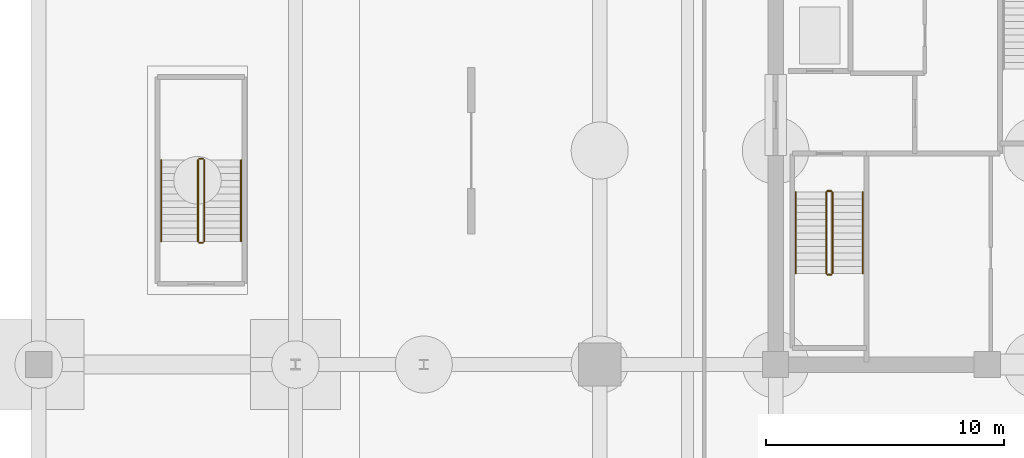
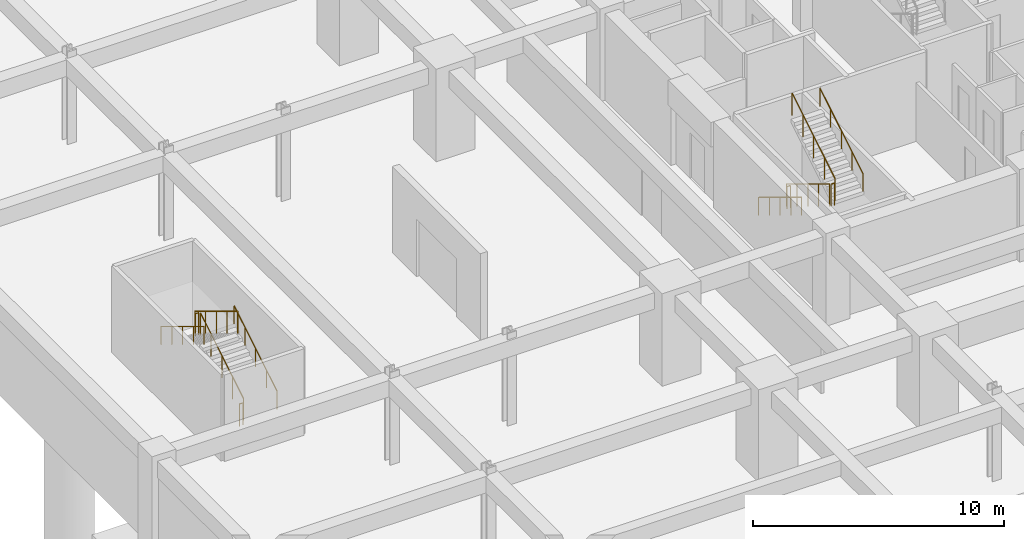
# One storey, part 13 of 17: 12 railings.
"""IFC4 building model written with IfcOpenShell, lengths in metres."""

from ifc_helpers import new_model, si_unit, direction, frame, origin, origin_2d, place, context, subcontext, project, spatial, circle, extrude, material, type_object, element, save


model = new_model("IFC4")

# Units and contexts
model_context = context("Model", 3, precision=1e-05, world=origin(), true_north=direction((0.0, 1.0)))
body_context = subcontext(model_context, "Body", "Model", "MODEL_VIEW")
ifc_project = project(units=[si_unit("LENGTHUNIT", "METRE"), si_unit("AREAUNIT", "SQUARE_METRE"), si_unit("VOLUMEUNIT", "CUBIC_METRE"), si_unit("PLANEANGLEUNIT", "RADIAN"), si_unit("MASSUNIT", "GRAM", prefix="KILO")], contexts=[model_context])

# Site, building, storey
site_placement = place(None, origin())
site = spatial("IfcSite", under=ifc_project, at=site_placement, CompositionType="ELEMENT")
building_placement = place(site_placement, origin())
building = spatial("IfcBuilding", under=site, at=building_placement, Name="Kovane Verandah Tower", CompositionType="ELEMENT")
storey_placement = place(building_placement, frame((0.0, 0.0, -9.0)))
storey = spatial("IfcBuildingStorey", under=building, at=storey_placement, Name="B2", CompositionType="ELEMENT", Elevation=-9.0)

# Railings
ifc_material_1 = material(Name="Brushed Stainless Steel Handrail", Category="steel")
railing_type_1 = type_object("IfcRailingType", Name="RL-HAND-920", PredefinedType="HANDRAIL", material=ifc_material_1)
railing_1_placement = place(storey_placement, frame((29.85009765625, 25.75, 0.173095703125)))
element("IfcRailing", 1, at=railing_1_placement, inside=storey, type_object=railing_type_1, Name="B2 ST-01 stair handrail 1", PredefinedType="HANDRAIL", context=body_context, shape_type="SweptSolid", body=[
    extrude(circle(Radius=0.02392578125, at=origin_2d()), frame((0.0, 0.0, 0.8759765625), z_axis=(0.0, -0.854729506542, 0.519073665916), x_axis=(1.0, 0.0, 0.0)), (0.0, 0.0, 1.0), 4.001220703125),
    extrude(circle(Radius=0.02099609375, at=origin_2d()), origin(), (0.0, 0.0, 1.0), 0.851806640625),
    extrude(circle(Radius=0.02099609375, at=origin_2d()), frame((0.0, -0.85498046875, 0.519287109375)), (0.0, 0.0, 1.0), 0.851806640625),
    extrude(circle(Radius=0.02099609375, at=origin_2d()), frame((0.0, -1.7099609375, 1.03857421875)), (0.0, 0.0, 1.0), 0.851806640625),
    extrude(circle(Radius=0.02099609375, at=origin_2d()), frame((0.0, -2.56494140625, 1.5576171875)), (0.0, 0.0, 1.0), 0.851806640625),
    extrude(circle(Radius=0.02099609375, at=origin_2d()), frame((0.0, -3.419921875, 2.076904296875)), (0.0, 0.0, 1.0), 0.851806640625),
])
railing_2_placement = place(storey_placement, frame((32.669921875, 22.330078125, 2.423095703125)))
element("IfcRailing", 2, at=railing_2_placement, inside=storey, type_object=railing_type_1, Name="B2 ST-01 stair handrail 2", PredefinedType="HANDRAIL", context=body_context, shape_type="SweptSolid", body=[
    extrude(circle(Radius=0.02392578125, at=origin_2d()), frame((0.0, 0.0, 0.8759765625), z_axis=(0.0, 0.854729506542, 0.519073665916), x_axis=(-1.0, 0.0, 0.0)), (0.0, 0.0, 1.0), 4.001220703125),
    extrude(circle(Radius=0.02099609375, at=origin_2d()), origin(), (0.0, 0.0, 1.0), 0.851806640625),
    extrude(circle(Radius=0.02099609375, at=origin_2d()), frame((0.0, 0.85498046875, 0.519287109375)), (0.0, 0.0, 1.0), 0.851806640625),
    extrude(circle(Radius=0.02099609375, at=origin_2d()), frame((0.0, 1.7099609375, 1.03857421875)), (0.0, 0.0, 1.0), 0.851806640625),
    extrude(circle(Radius=0.02099609375, at=origin_2d()), frame((0.0, 2.56494140625, 1.5576171875)), (0.0, 0.0, 1.0), 0.851806640625),
    extrude(circle(Radius=0.02099609375, at=origin_2d()), frame((0.0, 3.419921875, 2.076904296875)), (0.0, 0.0, 1.0), 0.851806640625),
])
railing_3_placement = place(storey_placement, frame((6.510009765625, 23.679931640625, 0.173095703125)))
element("IfcRailing", 3, at=railing_3_placement, inside=storey, type_object=railing_type_1, Name="B2 ST-04 stair handrail 1", PredefinedType="HANDRAIL", context=body_context, shape_type="SweptSolid", body=[
    extrude(circle(Radius=0.02392578125, at=origin_2d()), frame((0.0, 0.0, 0.8759765625), z_axis=(0.0, 0.854745945586, 0.519046595696), x_axis=(-1.0, 0.0, 0.0)), (0.0, 0.0, 1.0), 4.00146484375),
    extrude(circle(Radius=0.02099609375, at=origin_2d()), origin(), (0.0, 0.0, 1.0), 0.851806640625),
    extrude(circle(Radius=0.02099609375, at=origin_2d()), frame((0.0, 0.85498046875, 0.519287109375)), (0.0, 0.0, 1.0), 0.851806640625),
    extrude(circle(Radius=0.02099609375, at=origin_2d()), frame((0.0, 1.7099609375, 1.03857421875)), (0.0, 0.0, 1.0), 0.851806640625),
    extrude(circle(Radius=0.02099609375, at=origin_2d()), frame((0.0, 2.565185546875, 1.5576171875)), (0.0, 0.0, 1.0), 0.851806640625),
    extrude(circle(Radius=0.02099609375, at=origin_2d()), frame((0.0, 3.420166015625, 2.076904296875)), (0.0, 0.0, 1.0), 0.851806640625),
])
railing_4_placement = place(storey_placement, frame((3.14990234375, 27.10009765625, 2.423095703125)))
element("IfcRailing", 4, at=railing_4_placement, inside=storey, type_object=railing_type_1, Name="B2 ST-04 stair handrail 2", PredefinedType="HANDRAIL", context=body_context, shape_type="SweptSolid", body=[
    extrude(circle(Radius=0.02392578125, at=origin_2d()), frame((0.0, 0.0, 0.8759765625), z_axis=(0.0, -0.854745945586, 0.519046595696), x_axis=(1.0, 0.0, 0.0)), (0.0, 0.0, 1.0), 4.00146484375),
    extrude(circle(Radius=0.02099609375, at=origin_2d()), origin(), (0.0, 0.0, 1.0), 0.851806640625),
    extrude(circle(Radius=0.02099609375, at=origin_2d()), frame((0.0, -0.85498046875, 0.519287109375)), (0.0, 0.0, 1.0), 0.851806640625),
    extrude(circle(Radius=0.02099609375, at=origin_2d()), frame((0.0, -1.7099609375, 1.03857421875)), (0.0, 0.0, 1.0), 0.851806640625),
    extrude(circle(Radius=0.02099609375, at=origin_2d()), frame((0.0, -2.565185546875, 1.5576171875)), (0.0, 0.0, 1.0), 0.851806640625),
    extrude(circle(Radius=0.02099609375, at=origin_2d()), frame((0.0, -3.420166015625, 2.076904296875)), (0.0, 0.0, 1.0), 0.851806640625),
])
ifc_material_2 = material(Name="Painted Steel Stairwell Guardrail", Category="steel")
railing_type_2 = type_object("IfcRailingType", Name="RL-STGUARD-1120", PredefinedType="GUARDRAIL", material=ifc_material_2)
railing_5_placement = place(storey_placement, frame((31.1298828125, 25.75, 0.173095703125)))
element("IfcRailing", 5, at=railing_5_placement, inside=storey, type_object=railing_type_2, Name="B2 ST-01 stair guard 1", PredefinedType="GUARDRAIL", context=body_context, shape_type="SweptSolid", body=[
    extrude(circle(Radius=0.02392578125, at=origin_2d()), frame((0.0, 0.0, 1.076171875), z_axis=(0.0, -0.854729506542, 0.519073665916), x_axis=(1.0, 0.0, 0.0)), (0.0, 0.0, 1.0), 4.001220703125),
    extrude(circle(Radius=0.02099609375, at=origin_2d()), origin(), (0.0, 0.0, 1.0), 1.052001953125),
    extrude(circle(Radius=0.02099609375, at=origin_2d()), frame((0.0, -0.85498046875, 0.519287109375)), (0.0, 0.0, 1.0), 1.052001953125),
    extrude(circle(Radius=0.02099609375, at=origin_2d()), frame((0.0, -1.7099609375, 1.03857421875)), (0.0, 0.0, 1.0), 1.052001953125),
    extrude(circle(Radius=0.02099609375, at=origin_2d()), frame((0.0, -2.56494140625, 1.5576171875)), (0.0, 0.0, 1.0), 1.052001953125),
    extrude(circle(Radius=0.02099609375, at=origin_2d()), frame((0.0, -3.419921875, 2.076904296875)), (0.0, 0.0, 1.0), 1.052001953125),
])
railing_6_placement = place(storey_placement, frame((31.179931640625, 22.280029296875, 2.25)))
element("IfcRailing", 6, at=railing_6_placement, inside=storey, type_object=railing_type_2, Name="B2 ST-01 stair guard 2", PredefinedType="GUARDRAIL", context=body_context, shape_type="SweptSolid", body=[
    extrude(circle(Radius=0.02392578125, at=origin_2d()), frame((0.0, 0.0, 1.076171875), z_axis=(1.0, 0.0, 0.0), x_axis=(0.0, 1.0, 0.0)), (0.0, 0.0, 1.0), 0.16015625),
    extrude(circle(Radius=0.02099609375, at=origin_2d()), origin(), (0.0, 0.0, 1.0), 1.052001953125),
    extrude(circle(Radius=0.02099609375, at=origin_2d()), frame((0.16015625, 0.0, 0.0)), (0.0, 0.0, 1.0), 1.052001953125),
])
railing_7_placement = place(storey_placement, frame((31.389892578125, 22.330078125, 2.423095703125)))
element("IfcRailing", 7, at=railing_7_placement, inside=storey, type_object=railing_type_2, Name="B2 ST-01 stair guard 3", PredefinedType="GUARDRAIL", context=body_context, shape_type="SweptSolid", body=[
    extrude(circle(Radius=0.02392578125, at=origin_2d()), frame((0.0, 0.0, 1.076171875), z_axis=(0.0, 0.854729506542, 0.519073665916), x_axis=(-1.0, 0.0, 0.0)), (0.0, 0.0, 1.0), 4.001220703125),
    extrude(circle(Radius=0.02099609375, at=origin_2d()), origin(), (0.0, 0.0, 1.0), 1.052001953125),
    extrude(circle(Radius=0.02099609375, at=origin_2d()), frame((0.0, 0.85498046875, 0.519287109375)), (0.0, 0.0, 1.0), 1.052001953125),
    extrude(circle(Radius=0.02099609375, at=origin_2d()), frame((0.0, 1.7099609375, 1.03857421875)), (0.0, 0.0, 1.0), 1.052001953125),
    extrude(circle(Radius=0.02099609375, at=origin_2d()), frame((0.0, 2.56494140625, 1.5576171875)), (0.0, 0.0, 1.0), 1.052001953125),
    extrude(circle(Radius=0.02099609375, at=origin_2d()), frame((0.0, 3.419921875, 2.076904296875)), (0.0, 0.0, 1.0), 1.052001953125),
])
railing_8_placement = place(storey_placement, frame((31.179931640625, 25.800048828125, 0.0)))
element("IfcRailing", 8, at=railing_8_placement, inside=storey, type_object=railing_type_2, Name="B2 ST-01 stair guard 4", PredefinedType="GUARDRAIL", context=body_context, shape_type="SweptSolid", body=[
    extrude(circle(Radius=0.02392578125, at=origin_2d()), frame((0.0, 0.0, 1.076171875), z_axis=(1.0, 0.0, 0.0), x_axis=(0.0, 1.0, 0.0)), (0.0, 0.0, 1.0), 0.16015625),
    extrude(circle(Radius=0.02099609375, at=origin_2d()), origin(), (0.0, 0.0, 1.0), 1.052001953125),
    extrude(circle(Radius=0.02099609375, at=origin_2d()), frame((0.16015625, 0.0, 0.0)), (0.0, 0.0, 1.0), 1.052001953125),
])
railing_9_placement = place(storey_placement, frame((4.9599609375, 23.679931640625, 0.173095703125)))
element("IfcRailing", 9, at=railing_9_placement, inside=storey, type_object=railing_type_2, Name="B2 ST-04 stair guard 1", PredefinedType="GUARDRAIL", context=body_context, shape_type="SweptSolid", body=[
    extrude(circle(Radius=0.02392578125, at=origin_2d()), frame((0.0, 0.0, 1.076171875), z_axis=(0.0, 0.854745945586, 0.519046595696), x_axis=(-1.0, 0.0, 0.0)), (0.0, 0.0, 1.0), 4.00146484375),
    extrude(circle(Radius=0.02099609375, at=origin_2d()), origin(), (0.0, 0.0, 1.0), 1.052001953125),
    extrude(circle(Radius=0.02099609375, at=origin_2d()), frame((0.0, 0.85498046875, 0.519287109375)), (0.0, 0.0, 1.0), 1.052001953125),
    extrude(circle(Radius=0.02099609375, at=origin_2d()), frame((0.0, 1.7099609375, 1.03857421875)), (0.0, 0.0, 1.0), 1.052001953125),
    extrude(circle(Radius=0.02099609375, at=origin_2d()), frame((0.0, 2.565185546875, 1.5576171875)), (0.0, 0.0, 1.0), 1.052001953125),
    extrude(circle(Radius=0.02099609375, at=origin_2d()), frame((0.0, 3.420166015625, 2.076904296875)), (0.0, 0.0, 1.0), 1.052001953125),
])
railing_10_placement = place(storey_placement, frame((4.909912109375, 27.14990234375, 2.25)))
element("IfcRailing", 10, at=railing_10_placement, inside=storey, type_object=railing_type_2, Name="B2 ST-04 stair guard 2", PredefinedType="GUARDRAIL", context=body_context, shape_type="SweptSolid", body=[
    extrude(circle(Radius=0.02392578125, at=origin_2d()), frame((0.0, 0.0, 1.076171875), z_axis=(-1.0, 0.0, 0.0), x_axis=(0.0, -1.0, 0.0)), (0.0, 0.0, 1.0), 0.159912109375),
    extrude(circle(Radius=0.02099609375, at=origin_2d()), origin(), (0.0, 0.0, 1.0), 1.052001953125),
    extrude(circle(Radius=0.02099609375, at=origin_2d()), frame((-0.159912109375, 0.0, 0.0)), (0.0, 0.0, 1.0), 1.052001953125),
])
railing_11_placement = place(storey_placement, frame((4.699951171875, 27.10009765625, 2.423095703125)))
element("IfcRailing", 11, at=railing_11_placement, inside=storey, type_object=railing_type_2, Name="B2 ST-04 stair guard 3", PredefinedType="GUARDRAIL", context=body_context, shape_type="SweptSolid", body=[
    extrude(circle(Radius=0.02392578125, at=origin_2d()), frame((0.0, 0.0, 1.076171875), z_axis=(0.0, -0.854745945586, 0.519046595696), x_axis=(1.0, 0.0, 0.0)), (0.0, 0.0, 1.0), 4.00146484375),
    extrude(circle(Radius=0.02099609375, at=origin_2d()), origin(), (0.0, 0.0, 1.0), 1.052001953125),
    extrude(circle(Radius=0.02099609375, at=origin_2d()), frame((0.0, -0.85498046875, 0.519287109375)), (0.0, 0.0, 1.0), 1.052001953125),
    extrude(circle(Radius=0.02099609375, at=origin_2d()), frame((0.0, -1.7099609375, 1.03857421875)), (0.0, 0.0, 1.0), 1.052001953125),
    extrude(circle(Radius=0.02099609375, at=origin_2d()), frame((0.0, -2.565185546875, 1.5576171875)), (0.0, 0.0, 1.0), 1.052001953125),
    extrude(circle(Radius=0.02099609375, at=origin_2d()), frame((0.0, -3.420166015625, 2.076904296875)), (0.0, 0.0, 1.0), 1.052001953125),
])
railing_12_placement = place(storey_placement, frame((4.909912109375, 23.6298828125, 0.0)))
element("IfcRailing", 12, at=railing_12_placement, inside=storey, type_object=railing_type_2, Name="B2 ST-04 stair guard 4", PredefinedType="GUARDRAIL", context=body_context, shape_type="SweptSolid", body=[
    extrude(circle(Radius=0.02392578125, at=origin_2d()), frame((0.0, 0.0, 1.076171875), z_axis=(-1.0, 0.0, 0.0), x_axis=(0.0, -1.0, 0.0)), (0.0, 0.0, 1.0), 0.159912109375),
    extrude(circle(Radius=0.02099609375, at=origin_2d()), origin(), (0.0, 0.0, 1.0), 1.052001953125),
    extrude(circle(Radius=0.02099609375, at=origin_2d()), frame((-0.159912109375, 0.0, 0.0)), (0.0, 0.0, 1.0), 1.052001953125),
])

save(model, "model.ifc")
